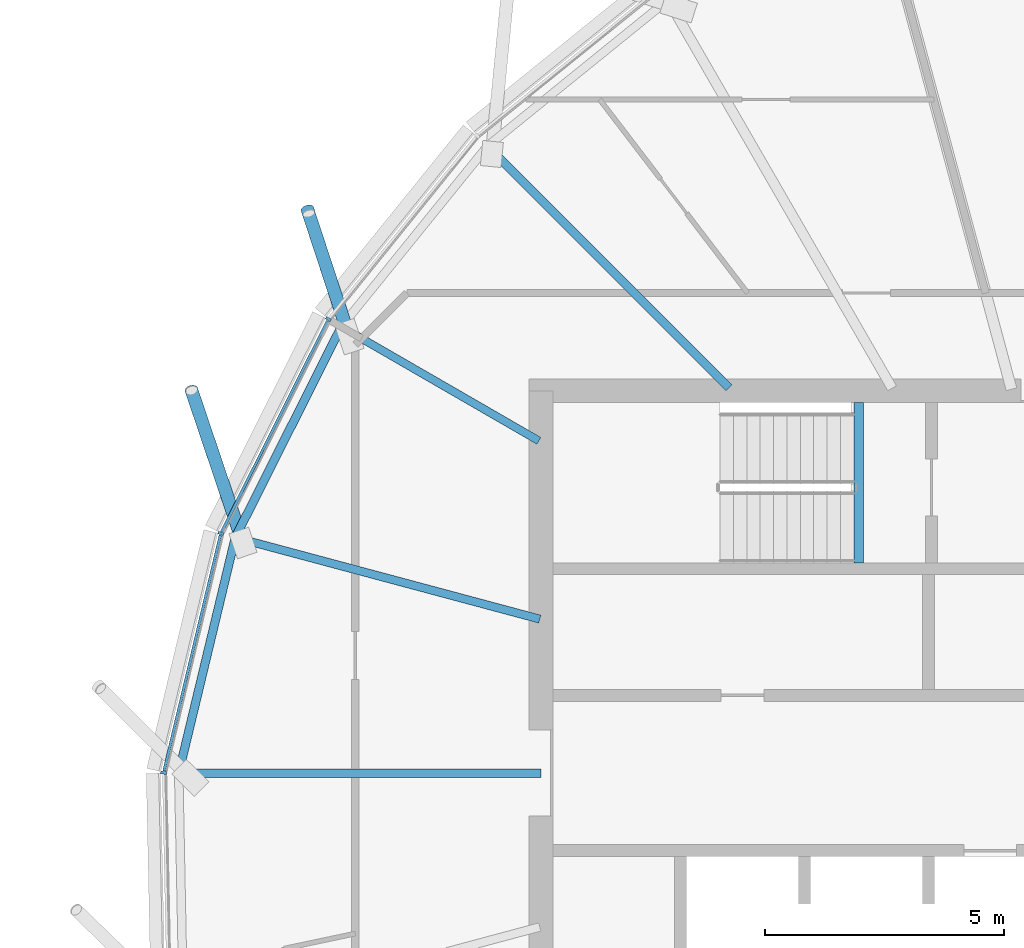
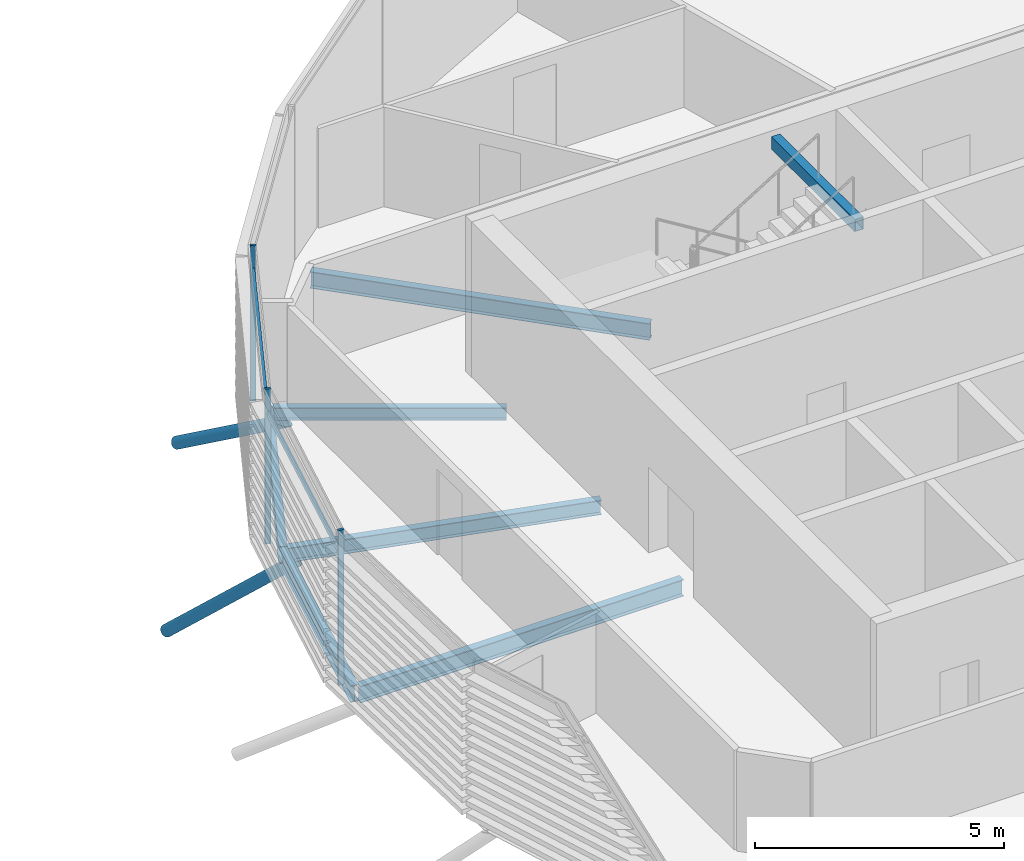
# One storey, part 11 of 38: 7 beams, 7 members, 1 element without a shape of its own.
"""IFC4 building model written with IfcOpenShell, lengths in metres."""

from ifc_helpers import new_model, si_unit, direction, frame, origin, origin_2d, place, context, subcontext, project, spatial, rectangle, hollow_rectangle, hollow_circle, i_section, extrude, clip, halfspace, material, material_profile, profile_set, type_object, element, aggregate, save


model = new_model("IFC4")

# Units and contexts
model_context = context("Model", 3, precision=1e-05, world=origin(), true_north=direction((0.0, 1.0)))
body_context = subcontext(model_context, "Body", "Model", "MODEL_VIEW")
ifc_project = project(units=[si_unit("LENGTHUNIT", "METRE"), si_unit("AREAUNIT", "SQUARE_METRE"), si_unit("VOLUMEUNIT", "CUBIC_METRE"), si_unit("PLANEANGLEUNIT", "RADIAN"), si_unit("MASSUNIT", "GRAM", prefix="KILO")], contexts=[model_context])

# Site, building, storey
site_placement = place(None, origin())
site = spatial("IfcSite", under=ifc_project, at=site_placement, CompositionType="ELEMENT")
building_placement = place(site_placement, origin())
building = spatial("IfcBuilding", under=site, at=building_placement, Name="Rimbun Link Towers", CompositionType="ELEMENT")
storey_placement = place(building_placement, frame((0.0, 0.0, 218.10009765625)))
storey = spatial("IfcBuildingStorey", under=building, at=storey_placement, Name="L53", CompositionType="ELEMENT", Elevation=218.10009765625)

# Curtain wall, members
ifc_material_1 = material(Name="Aluminium 6063-T6 and low-iron glass", Category="aluminium")
curtain_wall_type = type_object("IfcCurtainWallType", Name="CW1-Z4 unitised vision wall (zone 4)", PredefinedType="NOTDEFINED", material=ifc_material_1)
curtain_wall_placement = place(storey_placement, origin())
curtain_wall = element("IfcCurtainWall", 1, at=curtain_wall_placement, inside=storey, type_object=curtain_wall_type, Name="CW1 L53 T2", PredefinedType="NOTDEFINED")
ifc_material_2 = material(Name="Aluminium 6063-T6", Category="aluminium")
ifc_material_profile_1 = material_profile(ifc_material_2, rectangle(XDim=0.1201171875, YDim=0.06005859375, at=origin_2d()), Name="MULLION 60X120")
ifc_profile_set_1 = profile_set([ifc_material_profile_1], Name="Aluminium 6063-T6")
member_type_1 = type_object("IfcMemberType", Name="CW1 mullion 60X120", PredefinedType="MULLION", material=ifc_profile_set_1)
member_1_placement = place(storey_placement, frame((15.30322265625, 9.4990234375, 0.0), z_axis=(0.0, 0.0, 1.0), x_axis=(-0.84031380241, 0.542100279911, 0.0)))
member_1 = element("IfcMember", 2, at=member_1_placement, type_object=member_type_1, Name="CW1 mullion", PredefinedType="MULLION", context=body_context, shape_type="SweptSolid", body=[
    extrude(rectangle(XDim=0.1201171875, YDim=0.06005859375, at=origin_2d()), origin(), (0.0, 0.0, 1.0), 3.7998046875),
])
member_2_placement = place(storey_placement, frame((13.052001953125, 5.015625, 0.0), z_axis=(0.0, 0.0, 1.0), x_axis=(-0.939350189301, 0.342959504693, 0.0)))
member_2 = element("IfcMember", 3, at=member_2_placement, type_object=member_type_1, Name="CW1 mullion", PredefinedType="MULLION", context=body_context, shape_type="SweptSolid", body=[
    extrude(rectangle(XDim=0.1201171875, YDim=0.06005859375, at=origin_2d()), origin(), (0.0, 0.0, 1.0), 3.7998046875),
])
member_3_placement = place(storey_placement, frame((11.85400390625, 0.00634765625, 0.0), z_axis=(0.0, 0.0, 1.0), x_axis=(-0.994297261703, 0.106644059234, 0.0)))
member_3 = element("IfcMember", 4, at=member_3_placement, type_object=member_type_1, Name="CW1 mullion", PredefinedType="MULLION", context=body_context, shape_type="SweptSolid", body=[
    extrude(rectangle(XDim=0.1201171875, YDim=0.06005859375, at=origin_2d()), origin(), (0.0, 0.0, 1.0), 3.7998046875),
])
ifc_material_3 = material(Name="Aluminium 6063-T6", Category="aluminium")
ifc_material_profile_2 = material_profile(ifc_material_3, rectangle(XDim=0.06005859375, YDim=0.1201171875, at=origin_2d()), Name="TRANSOM 60X120")
ifc_profile_set_2 = profile_set([ifc_material_profile_2], Name="Aluminium 6063-T6")
member_type_2 = type_object("IfcMemberType", Name="CW1 transom 60X120", PredefinedType="USERDEFINED", material=ifc_profile_set_2)
member_4_placement = place(storey_placement, frame((13.06982421875, 5.0478515625, 3.199951171875), z_axis=(0.448773522583, 0.893645525602, 0.0), x_axis=(-0.893645525602, 0.448773522583, 0.0)))
member_4 = element("IfcMember", 5, at=member_4_placement, type_object=member_type_2, Name="CW1 transom", ObjectType="TRANSOM", PredefinedType="USERDEFINED", context=body_context, shape_type="SweptSolid", body=[
    extrude(rectangle(XDim=0.06005859375, YDim=0.1201171875, at=origin_2d()), origin(), (0.0, 0.0, 1.0), 4.943603515625),
])
member_5_placement = place(storey_placement, frame((11.8642578125, 0.042724609375, 3.199951171875), z_axis=(0.232608819972, 0.972570376308, 0.0), x_axis=(-0.972570376308, 0.232608819972, 0.0)))
member_5 = element("IfcMember", 6, at=member_5_placement, type_object=member_type_2, Name="CW1 transom", ObjectType="TRANSOM", PredefinedType="USERDEFINED", context=body_context, shape_type="SweptSolid", body=[
    extrude(rectangle(XDim=0.06005859375, YDim=0.1201171875, at=origin_2d()), origin(), (0.0, 0.0, 1.0), 5.07568359375),
])
aggregate(curtain_wall, [member_1, member_2, member_3, member_4, member_5])

# Members
ifc_material_4 = material(Name="Steel S355J2H", Category="steel")
ifc_material_profile_3 = material_profile(ifc_material_4, hollow_circle(Radius=0.136474609375, WallThickness=0.012451171875, at=origin_2d()), Name="CHS 273x12.5")
ifc_profile_set_3 = profile_set([ifc_material_profile_3], Name="Steel S355J2H")
member_type_3 = type_object("IfcMemberType", Name="Floor edge link CHS 273x12.5", PredefinedType="BRACE", material=ifc_profile_set_3)
member_6_placement = place(storey_placement, frame((15.694091796875, 9.269775390625, -0.55810546875), z_axis=(-0.261565228331, 0.797121950973, -0.544224426689), x_axis=(-0.950154078414, -0.311780735892, 0.0)))
element("IfcMember", 7, at=member_6_placement, inside=storey, type_object=member_type_3, Name="Floor edge link T2 L53 07", PredefinedType="BRACE", context=body_context, shape_type="Clipping", body=[
    clip(extrude(hollow_circle(Radius=0.136474609375, WallThickness=0.012451171875, at=origin_2d()), frame((0.0, 0.0, -0.439208984375)), (0.0, 0.0, 1.0), 3.6220703125), halfspace(frame((0.0, 0.0, -0.20703125), z_axis=(0.0, 0.838939672083, -0.544224426689)), False)),
])
member_7_placement = place(storey_placement, frame((13.490478515625, 4.892578125, -0.594482421875), z_axis=(-0.23085644106, 0.684656689258, -0.691339657098), x_axis=(-0.947582480318, -0.319511256443, 0.0)))
element("IfcMember", 8, at=member_7_placement, inside=storey, type_object=member_type_3, Name="Floor edge link T2 L53 08", PredefinedType="BRACE", context=body_context, shape_type="Clipping", body=[
    clip(extrude(hollow_circle(Radius=0.136474609375, WallThickness=0.012451171875, at=origin_2d()), frame((0.0, 0.0, -0.2998046875)), (0.0, 0.0, 1.0), 4.8662109375), halfspace(frame((0.0, 0.0, -0.140869140625), z_axis=(0.0, 0.722529915314, -0.691339657098)), False)),
])

# Beams
ifc_material_5 = material(Name="Steel S355J2", Category="steel")
ifc_material_profile_4 = material_profile(ifc_material_5, hollow_rectangle(XDim=0.199951171875, YDim=0.300048828125, WallThickness=0.011962890625, at=origin_2d()), Name="BOX 300x200x12")
ifc_profile_set_4 = profile_set([ifc_material_profile_4], Name="Steel S355J2")
beam_type_1 = type_object("IfcBeamType", Name="Stair trimmer beam BOX 300x200x12", PredefinedType="BEAM", material=ifc_profile_set_4)
beam_1_placement = place(storey_placement, frame((26.39990234375, 7.75, 3.510009765625), z_axis=(0.0, -1.0, 0.0), x_axis=(1.0, 0.0, 0.0)))
element("IfcBeam", 9, at=beam_1_placement, inside=storey, type_object=beam_type_1, Name="L53 ST3 stair beam 1", PredefinedType="BEAM", context=body_context, shape_type="SweptSolid", body=[
    extrude(hollow_rectangle(XDim=0.199951171875, YDim=0.300048828125, WallThickness=0.011962890625, at=origin_2d()), origin(), (0.0, 0.0, 1.0), 3.35009765625),
])
ifc_material_6 = material(Name="Steel S355J2", Category="steel")
ifc_material_profile_5 = material_profile(ifc_material_6, i_section(OverallWidth=0.1650390625, OverallDepth=0.303466796875, WebThickness=0.006103515625, FlangeThickness=0.01025390625, at=origin_2d()), Name="UB 305x165x40")
ifc_profile_set_5 = profile_set([ifc_material_profile_5], Name="Steel S355J2")
beam_type_2 = type_object("IfcBeamType", Name="UB 305x165x40", PredefinedType="BEAM", material=ifc_profile_set_5)
beam_2_placement = place(storey_placement, frame((19.7080078125, 6.952392578125, -0.291748046875), z_axis=(-0.866012016993, 0.500023185886, 0.0), x_axis=(-0.500023185886, -0.866012016993, 0.0)))
element("IfcBeam", 10, at=beam_2_placement, inside=storey, type_object=beam_type_2, Name="Radial beam T2 L53 07", PredefinedType="BEAM", context=body_context, shape_type="SweptSolid", body=[
    extrude(i_section(OverallWidth=0.1650390625, OverallDepth=0.303466796875, WebThickness=0.006103515625, FlangeThickness=0.01025390625, at=origin_2d()), origin(), (0.0, 0.0, 1.0), 4.684814453125),
])
ifc_material_7 = material(Name="Steel S355J2", Category="steel")
ifc_material_profile_6 = material_profile(ifc_material_7, i_section(OverallWidth=0.17138671875, OverallDepth=0.35498046875, WebThickness=0.00732421875, FlangeThickness=0.011474609375, at=origin_2d()), Name="UB 356x171x51")
ifc_profile_set_6 = profile_set([ifc_material_profile_6], Name="Steel S355J2")
beam_type_3 = type_object("IfcBeamType", Name="UB 356x171x51", PredefinedType="BEAM", material=ifc_profile_set_6)
beam_3_placement = place(storey_placement, frame((19.726806640625, 3.2216796875, -0.317626953125), z_axis=(-0.96593096787, 0.258799855699, 0.0), x_axis=(-0.258799855699, -0.96593096787, 0.0)))
element("IfcBeam", 11, at=beam_3_placement, inside=storey, type_object=beam_type_3, Name="Radial beam T2 L53 08", PredefinedType="BEAM", context=body_context, shape_type="SweptSolid", body=[
    extrude(i_section(OverallWidth=0.17138671875, OverallDepth=0.35498046875, WebThickness=0.00732421875, FlangeThickness=0.011474609375, at=origin_2d()), origin(), (0.0, 0.0, 1.0), 6.50634765625),
])
ifc_material_8 = material(Name="Steel S355J2", Category="steel")
ifc_material_profile_7 = material_profile(ifc_material_8, i_section(OverallWidth=0.177978515625, OverallDepth=0.406494140625, WebThickness=0.0078125, FlangeThickness=0.0126953125, at=origin_2d()), Name="UB 406x178x60")
ifc_profile_set_7 = profile_set([ifc_material_profile_7], Name="Steel S355J2")
beam_type_4 = type_object("IfcBeamType", Name="UB 406x178x60", PredefinedType="BEAM", material=ifc_profile_set_7)
beam_4_placement = place(storey_placement, frame((23.686279296875, 8.063720703125, -0.34326171875), z_axis=(-0.707106781187, 0.707106781187, 0.0), x_axis=(-0.707106781187, -0.707106781187, 0.0)))
element("IfcBeam", 12, at=beam_4_placement, inside=storey, type_object=beam_type_4, Name="Radial beam T2 L53 06", PredefinedType="BEAM", context=body_context, shape_type="SweptSolid", body=[
    extrude(i_section(OverallWidth=0.177978515625, OverallDepth=0.406494140625, WebThickness=0.0078125, FlangeThickness=0.0126953125, at=origin_2d()), origin(), (0.0, 0.0, 1.0), 7.058349609375),
])
beam_5_placement = place(storey_placement, frame((19.7490234375, 0.0, -0.34326171875), z_axis=(-1.0, 0.0, 0.0), x_axis=(0.0, -1.0, 0.0)))
element("IfcBeam", 13, at=beam_5_placement, inside=storey, type_object=beam_type_4, Name="Radial beam T2 L53 09", PredefinedType="BEAM", context=body_context, shape_type="SweptSolid", body=[
    extrude(i_section(OverallWidth=0.177978515625, OverallDepth=0.406494140625, WebThickness=0.0078125, FlangeThickness=0.0126953125, at=origin_2d()), origin(), (0.0, 0.0, 1.0), 7.48779296875),
])
beam_6_placement = place(storey_placement, frame((15.568115234375, 9.330322265625, -0.34326171875), z_axis=(-0.449219154392, -0.89342159775, 0.0), x_axis=(0.89342159775, -0.449219154392, 0.0)))
element("IfcBeam", 14, at=beam_6_placement, inside=storey, type_object=beam_type_4, Name="Edge beam T2 L53 07", PredefinedType="BEAM", context=body_context, shape_type="SweptSolid", body=[
    extrude(i_section(OverallWidth=0.177978515625, OverallDepth=0.406494140625, WebThickness=0.0078125, FlangeThickness=0.0126953125, at=origin_2d()), origin(), (0.0, 0.0, 1.0), 4.915283203125),
])
beam_7_placement = place(storey_placement, frame((13.352294921875, 4.91796875, -0.34326171875), z_axis=(-0.233621844112, -0.972327534298, 0.0), x_axis=(0.972327534298, -0.233621844112, 0.0)))
element("IfcBeam", 15, at=beam_7_placement, inside=storey, type_object=beam_type_4, Name="Edge beam T2 L53 08", PredefinedType="BEAM", context=body_context, shape_type="SweptSolid", body=[
    extrude(i_section(OverallWidth=0.177978515625, OverallDepth=0.406494140625, WebThickness=0.0078125, FlangeThickness=0.0126953125, at=origin_2d()), origin(), (0.0, 0.0, 1.0), 5.04541015625),
])

save(model, "model.ifc")
